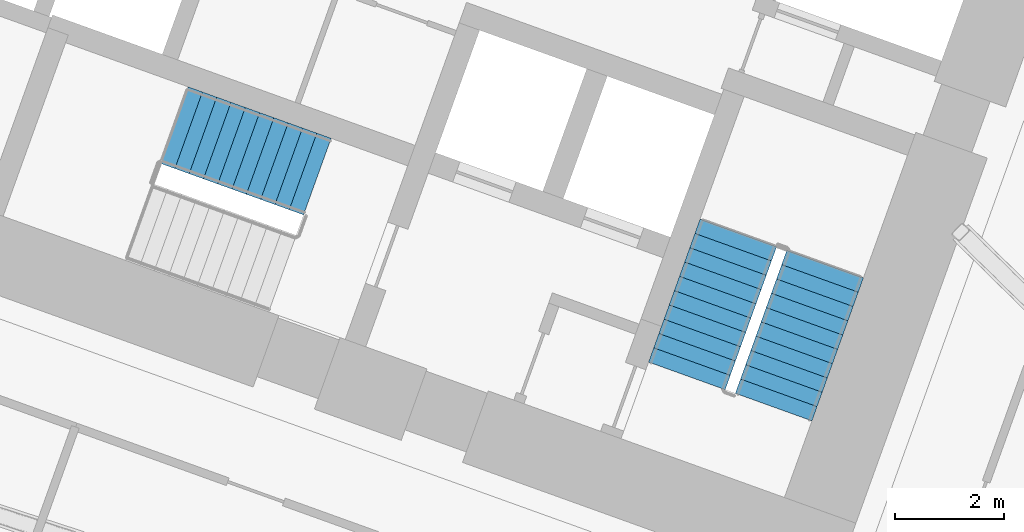
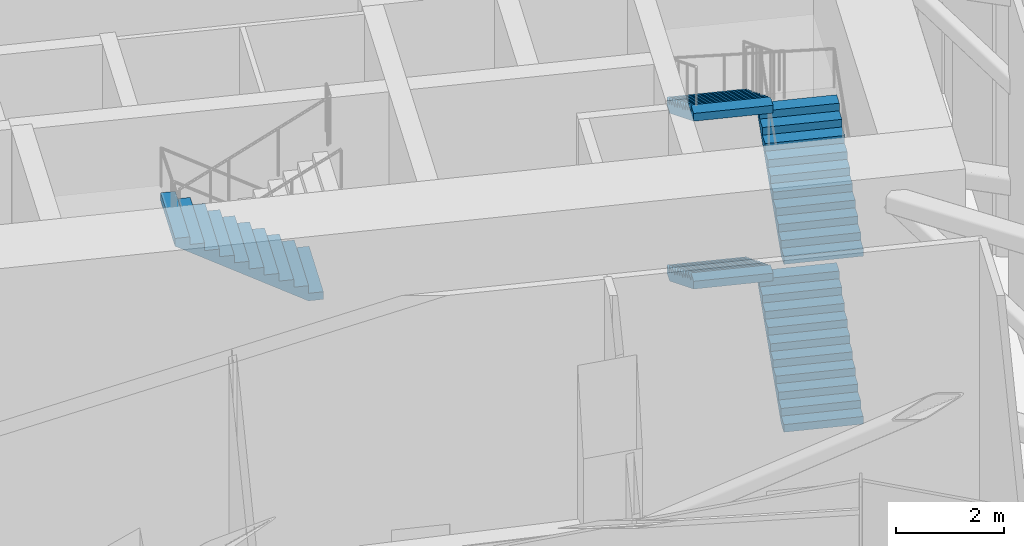
# One storey, part 29 of 32: 5 stair flights, 2 elements without a shape of their own.
"""IFC4 building model written with IfcOpenShell, lengths in metres."""

from ifc_helpers import new_model, si_unit, direction, frame, origin, place, context, subcontext, project, spatial, polyline, outline, extrude, material, type_object, element, aggregate, save


model = new_model("IFC4")

# Units and contexts
model_context = context("Model", 3, precision=1e-05, world=origin(), true_north=direction((0.0, 1.0)))
body_context = subcontext(model_context, "Body", "Model", "MODEL_VIEW")
ifc_project = project(units=[si_unit("LENGTHUNIT", "METRE"), si_unit("AREAUNIT", "SQUARE_METRE"), si_unit("VOLUMEUNIT", "CUBIC_METRE"), si_unit("PLANEANGLEUNIT", "RADIAN"), si_unit("MASSUNIT", "GRAM", prefix="KILO")], contexts=[model_context])

# Site, building, storey
site_placement = place(None, origin())
site = spatial("IfcSite", under=ifc_project, at=site_placement, CompositionType="ELEMENT")
building_placement = place(site_placement, origin())
building = spatial("IfcBuilding", under=site, at=building_placement, Name="Stone Belt Terrace Tower", CompositionType="ELEMENT")
storey_placement = place(building_placement, frame((0.0, 0.0, 193.39990234375)))
storey = spatial("IfcBuildingStorey", under=building, at=storey_placement, Name="L47", CompositionType="ELEMENT", Elevation=193.39990234375)

# Stair, stair flights
ifc_material = material(Name="Concrete B40", Category="concrete")
stair_type = type_object("IfcStairType", Name="Exit stair 1500", PredefinedType="HALF_TURN_STAIR", material=ifc_material)
stair_1_placement = place(storey_placement, origin())
stair_1 = element("IfcStair", 1, at=stair_1_placement, inside=storey, type_object=stair_type, Name="L47 Exit stair 1 core B", PredefinedType="HALF_TURN_STAIR")
stair_flight_type = type_object("IfcStairFlightType", Name="Stair flight 1500", PredefinedType="STRAIGHT", material=ifc_material)
stair_flight_1_placement = place(storey_placement, frame((25.15283203125, 44.9375, 0.0), z_axis=(0.0, 0.0, 1.0), x_axis=(0.338624396177, 0.940921632398, 0.0)))
stair_flight_1 = element("IfcStairFlight", 2, at=stair_flight_1_placement, type_object=stair_flight_type, Name="ST1B flight 1", NumberOfRisers=11, NumberOfTreads=10, PredefinedType="STRAIGHT", RiserHeight=0.172727273, TreadLength=0.28, context=body_context, shape_type="SweptSolid", body=[
    extrude(outline(polyline([(0.0, 0.0), (0.0, 0.172607421875), (0.280029296875, 0.172607421875), (0.280029296875, 0.345458984375), (0.56005859375, 0.345458984375), (0.56005859375, 0.51806640625), (0.840087890625, 0.51806640625), (0.840087890625, 0.69091796875), (1.1201171875, 0.69091796875), (1.1201171875, 0.863525390625), (1.39990234375, 0.863525390625), (1.39990234375, 1.036376953125), (1.679931640625, 1.036376953125), (1.679931640625, 1.208984375), (1.9599609375, 1.208984375), (1.9599609375, 1.3818359375), (2.239990234375, 1.3818359375), (2.239990234375, 1.554443359375), (2.52001953125, 1.554443359375), (2.52001953125, 1.727294921875), (2.800048828125, 1.727294921875), (2.800048828125, 1.89990234375), (2.800048828125, 1.551025390625), (0.285400390625, 0.0), (0.0, 0.0)])), frame((0.0, 0.75, 0.0), z_axis=(0.0, -1.0, 0.0), x_axis=(1.0, 0.0, 0.0)), (0.0, 0.0, 1.0), 1.5),
])
stair_flight_2_placement = place(storey_placement, frame((24.50146484375, 48.147705078125, 1.900146484375), z_axis=(0.0, 0.0, 1.0), x_axis=(-0.338624396177, -0.940921632398, 0.0)))
stair_flight_2 = element("IfcStairFlight", 3, at=stair_flight_2_placement, type_object=stair_flight_type, Name="ST1B flight 2", NumberOfRisers=11, NumberOfTreads=10, PredefinedType="STRAIGHT", RiserHeight=0.172727273, TreadLength=0.28, context=body_context, shape_type="SweptSolid", body=[
    extrude(outline(polyline([(0.0, 0.0), (0.0, 0.172607421875), (0.280029296875, 0.172607421875), (0.280029296875, 0.345458984375), (0.56005859375, 0.345458984375), (0.56005859375, 0.51806640625), (0.840087890625, 0.51806640625), (0.840087890625, 0.69091796875), (1.1201171875, 0.69091796875), (1.1201171875, 0.863525390625), (1.39990234375, 0.863525390625), (1.39990234375, 1.036376953125), (1.679931640625, 1.036376953125), (1.679931640625, 1.208984375), (1.9599609375, 1.208984375), (1.9599609375, 1.3818359375), (2.239990234375, 1.3818359375), (2.239990234375, 1.554443359375), (2.52001953125, 1.554443359375), (2.52001953125, 1.727294921875), (2.800048828125, 1.727294921875), (2.800048828125, 1.89990234375), (2.800048828125, 1.551025390625), (0.285400390625, 0.0), (0.0, 0.0)])), frame((0.0, 0.75, 0.0), z_axis=(0.0, -1.0, 0.0), x_axis=(1.0, 0.0, 0.0)), (0.0, 0.0, 1.0), 1.5),
])
stair_flight_3_placement = place(storey_placement, frame((25.15283203125, 44.9375, 3.800048828125), z_axis=(0.0, 0.0, 1.0), x_axis=(0.338624396177, 0.940921632398, 0.0)))
stair_flight_3 = element("IfcStairFlight", 4, at=stair_flight_3_placement, type_object=stair_flight_type, Name="ST1B flight 3", NumberOfRisers=11, NumberOfTreads=10, PredefinedType="STRAIGHT", RiserHeight=0.172727273, TreadLength=0.28, context=body_context, shape_type="SweptSolid", body=[
    extrude(outline(polyline([(0.0, 0.0), (0.0, 0.172607421875), (0.280029296875, 0.172607421875), (0.280029296875, 0.345458984375), (0.56005859375, 0.345458984375), (0.56005859375, 0.51806640625), (0.840087890625, 0.51806640625), (0.840087890625, 0.69091796875), (1.1201171875, 0.69091796875), (1.1201171875, 0.863525390625), (1.39990234375, 0.863525390625), (1.39990234375, 1.036376953125), (1.679931640625, 1.036376953125), (1.679931640625, 1.208984375), (1.9599609375, 1.208984375), (1.9599609375, 1.3818359375), (2.239990234375, 1.3818359375), (2.239990234375, 1.554443359375), (2.52001953125, 1.554443359375), (2.52001953125, 1.727294921875), (2.800048828125, 1.727294921875), (2.800048828125, 1.89990234375), (2.800048828125, 1.551025390625), (0.285400390625, 0.0), (0.0, 0.0)])), frame((0.0, 0.75, 0.0), z_axis=(0.0, -1.0, 0.0), x_axis=(1.0, 0.0, 0.0)), (0.0, 0.0, 1.0), 1.5),
])
stair_flight_4_placement = place(storey_placement, frame((24.50146484375, 48.147705078125, 5.7001953125), z_axis=(0.0, 0.0, 1.0), x_axis=(-0.338624396177, -0.940921632398, 0.0)))
stair_flight_4 = element("IfcStairFlight", 5, at=stair_flight_4_placement, type_object=stair_flight_type, Name="ST1B flight 4", NumberOfRisers=11, NumberOfTreads=10, PredefinedType="STRAIGHT", RiserHeight=0.172727273, TreadLength=0.28, context=body_context, shape_type="SweptSolid", body=[
    extrude(outline(polyline([(0.0, 0.0), (0.0, 0.172607421875), (0.280029296875, 0.172607421875), (0.280029296875, 0.345458984375), (0.56005859375, 0.345458984375), (0.56005859375, 0.51806640625), (0.840087890625, 0.51806640625), (0.840087890625, 0.69091796875), (1.1201171875, 0.69091796875), (1.1201171875, 0.863525390625), (1.39990234375, 0.863525390625), (1.39990234375, 1.036376953125), (1.679931640625, 1.036376953125), (1.679931640625, 1.208984375), (1.9599609375, 1.208984375), (1.9599609375, 1.3818359375), (2.239990234375, 1.3818359375), (2.239990234375, 1.554443359375), (2.52001953125, 1.554443359375), (2.52001953125, 1.727294921875), (2.800048828125, 1.727294921875), (2.800048828125, 1.89990234375), (2.800048828125, 1.551025390625), (0.285400390625, 0.0), (0.0, 0.0)])), frame((0.0, 0.75, 0.0), z_axis=(0.0, -1.0, 0.0), x_axis=(1.0, 0.0, 0.0)), (0.0, 0.0, 1.0), 1.5),
])
aggregate(stair_1, [stair_flight_1, stair_flight_2, stair_flight_3, stair_flight_4])

# Stair, stair flight
stair_2_placement = place(storey_placement, origin())
stair_2 = element("IfcStair", 6, at=stair_2_placement, inside=storey, type_object=stair_type, Name="L47 Exit stair 2 core B", PredefinedType="HALF_TURN_STAIR")
stair_flight_5_placement = place(storey_placement, frame((16.74462890625, 49.185546875, 3.800048828125), z_axis=(0.0, 0.0, 1.0), x_axis=(-0.940921632398, 0.338624396177, 0.0)))
stair_flight_5 = element("IfcStairFlight", 7, at=stair_flight_5_placement, type_object=stair_flight_type, Name="ST2B flight 3", NumberOfRisers=11, NumberOfTreads=10, PredefinedType="STRAIGHT", RiserHeight=0.172727273, TreadLength=0.28, context=body_context, shape_type="SweptSolid", body=[
    extrude(outline(polyline([(0.0, 0.0), (0.0, 0.172607421875), (0.280029296875, 0.172607421875), (0.280029296875, 0.345458984375), (0.56005859375, 0.345458984375), (0.56005859375, 0.51806640625), (0.840087890625, 0.51806640625), (0.840087890625, 0.69091796875), (1.1201171875, 0.69091796875), (1.1201171875, 0.863525390625), (1.39990234375, 0.863525390625), (1.39990234375, 1.036376953125), (1.679931640625, 1.036376953125), (1.679931640625, 1.208984375), (1.9599609375, 1.208984375), (1.9599609375, 1.3818359375), (2.239990234375, 1.3818359375), (2.239990234375, 1.554443359375), (2.52001953125, 1.554443359375), (2.52001953125, 1.727294921875), (2.800048828125, 1.727294921875), (2.800048828125, 1.89990234375), (2.800048828125, 1.551025390625), (0.285400390625, 0.0), (0.0, 0.0)])), frame((0.0, 0.75, 0.0), z_axis=(0.0, -1.0, 0.0), x_axis=(1.0, 0.0, 0.0)), (0.0, 0.0, 1.0), 1.5),
])
aggregate(stair_2, [stair_flight_5])

save(model, "model.ifc")
